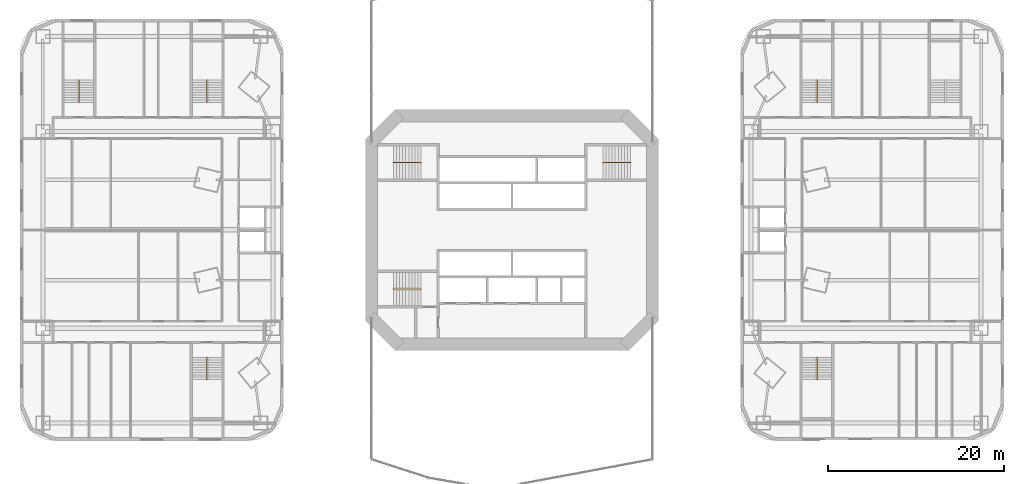
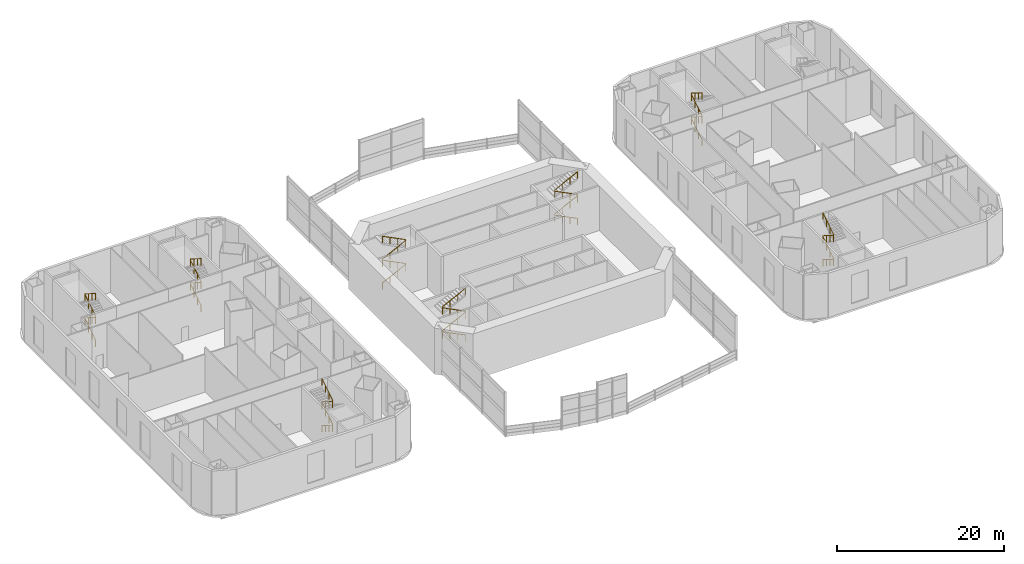
# One storey, part 18 of 19: 8 railings.
"""IFC4 building model written with IfcOpenShell, lengths in metres."""

from ifc_helpers import new_model, si_unit, direction, frame, origin, origin_2d, place, context, subcontext, project, spatial, circle, extrude, material, type_object, element, save


model = new_model("IFC4")

# Units and contexts
model_context = context("Model", 3, precision=1e-05, world=origin(), true_north=direction((0.0, 1.0)))
body_context = subcontext(model_context, "Body", "Model", "MODEL_VIEW")
ifc_project = project(units=[si_unit("LENGTHUNIT", "METRE"), si_unit("AREAUNIT", "SQUARE_METRE"), si_unit("VOLUMEUNIT", "CUBIC_METRE"), si_unit("PLANEANGLEUNIT", "RADIAN"), si_unit("MASSUNIT", "GRAM", prefix="KILO")], contexts=[model_context])

# Site, building, storey
site_placement = place(None, origin())
site = spatial("IfcSite", under=ifc_project, at=site_placement, CompositionType="ELEMENT")
building_placement = place(site_placement, origin())
building = spatial("IfcBuilding", under=site, at=building_placement, Name="Marenthal Gate Tower", CompositionType="ELEMENT")
storey_placement = place(building_placement, frame((0.0, 0.0, 19.0)))
storey = spatial("IfcBuildingStorey", under=building, at=storey_placement, Name="L02", CompositionType="ELEMENT", Elevation=19.0)

# Railings
ifc_material = material(Name="Stainless steel", Category="steel")
railing_type = type_object("IfcRailingType", Name="Stair handrail", PredefinedType="HANDRAIL", material=ifc_material)
railing_1_placement = place(storey_placement, frame((-13.5, 7.675048828125, 0.175048828125)))
element("IfcRailing", 1, at=railing_1_placement, inside=storey, type_object=railing_type, Name="Handrail ST1", PredefinedType="HANDRAIL", context=body_context, shape_type="SweptSolid", body=[
    extrude(circle(Radius=0.0224609375, at=origin_2d()), frame((0.0, 0.0, 0.927490234375), z_axis=(0.894427191, 0.0, 0.4472135955), x_axis=(0.0, 1.0, 0.0)), (0.0, 0.0, 1.0), 3.521728515625),
    extrude(circle(Radius=0.0224609375, at=origin_2d()), frame((3.14990234375, 0.0, 2.50244140625), z_axis=(0.0, 0.0, 1.0), x_axis=(1.0, 0.0, 0.0)), (0.0, 0.0, 1.0), 0.175048828125),
    extrude(circle(Radius=0.0224609375, at=origin_2d()), frame((3.14990234375, 0.0, 2.677490234375), z_axis=(-0.894427191, 0.0, 0.4472135955), x_axis=(0.0, -1.0, 0.0)), (0.0, 0.0, 1.0), 3.521728515625),
    extrude(circle(Radius=0.0224609375, at=origin_2d()), frame((0.0, 0.0, 4.25244140625), z_axis=(0.0, 0.0, 1.0), x_axis=(1.0, 0.0, 0.0)), (0.0, 0.0, 1.0), 0.175048828125),
    extrude(circle(Radius=0.0224609375, at=origin_2d()), frame((0.0, 0.0, 4.427490234375), z_axis=(0.894427191, 0.0, 0.4472135955), x_axis=(0.0, 1.0, 0.0)), (0.0, 0.0, 1.0), 3.521728515625),
    extrude(circle(Radius=0.0224609375, at=origin_2d()), frame((3.14990234375, 0.0, 6.00244140625), z_axis=(0.0, 0.0, 1.0), x_axis=(1.0, 0.0, 0.0)), (0.0, 0.0, 1.0), 0.175048828125),
    extrude(circle(Radius=0.0224609375, at=origin_2d()), frame((3.14990234375, 0.0, 6.177490234375), z_axis=(-0.894427191, 0.0, 0.4472135955), x_axis=(0.0, -1.0, 0.0)), (0.0, 0.0, 1.0), 3.521728515625),
    extrude(circle(Radius=0.02001953125, at=origin_2d()), origin(), (0.0, 0.0, 1.0), 0.905029296875),
    extrude(circle(Radius=0.02001953125, at=origin_2d()), frame((1.050048828125, 0.0, 0.52490234375)), (0.0, 0.0, 1.0), 0.905029296875),
    extrude(circle(Radius=0.02001953125, at=origin_2d()), frame((2.099853515625, 0.0, 1.050048828125)), (0.0, 0.0, 1.0), 0.905029296875),
    extrude(circle(Radius=0.02001953125, at=origin_2d()), frame((3.14990234375, 0.0, 1.574951171875)), (0.0, 0.0, 1.0), 0.905029296875),
    extrude(circle(Radius=0.02001953125, at=origin_2d()), frame((3.14990234375, 0.0, 1.75)), (0.0, 0.0, 1.0), 0.905029296875),
    extrude(circle(Radius=0.02001953125, at=origin_2d()), frame((2.099853515625, 0.0, 2.27490234375)), (0.0, 0.0, 1.0), 0.905029296875),
    extrude(circle(Radius=0.02001953125, at=origin_2d()), frame((1.050048828125, 0.0, 2.800048828125)), (0.0, 0.0, 1.0), 0.905029296875),
    extrude(circle(Radius=0.02001953125, at=origin_2d()), frame((0.0, 0.0, 3.324951171875)), (0.0, 0.0, 1.0), 0.905029296875),
    extrude(circle(Radius=0.02001953125, at=origin_2d()), frame((0.0, 0.0, 3.5)), (0.0, 0.0, 1.0), 0.905029296875),
    extrude(circle(Radius=0.02001953125, at=origin_2d()), frame((1.050048828125, 0.0, 4.02490234375)), (0.0, 0.0, 1.0), 0.905029296875),
    extrude(circle(Radius=0.02001953125, at=origin_2d()), frame((2.099853515625, 0.0, 4.550048828125)), (0.0, 0.0, 1.0), 0.905029296875),
    extrude(circle(Radius=0.02001953125, at=origin_2d()), frame((3.14990234375, 0.0, 5.074951171875)), (0.0, 0.0, 1.0), 0.905029296875),
    extrude(circle(Radius=0.02001953125, at=origin_2d()), frame((3.14990234375, 0.0, 5.25)), (0.0, 0.0, 1.0), 0.905029296875),
    extrude(circle(Radius=0.02001953125, at=origin_2d()), frame((2.099853515625, 0.0, 5.77490234375)), (0.0, 0.0, 1.0), 0.905029296875),
    extrude(circle(Radius=0.02001953125, at=origin_2d()), frame((1.050048828125, 0.0, 6.300048828125)), (0.0, 0.0, 1.0), 0.905029296875),
    extrude(circle(Radius=0.02001953125, at=origin_2d()), frame((0.0, 0.0, 6.824951171875)), (0.0, 0.0, 1.0), 0.905029296875),
])
railing_2_placement = place(storey_placement, frame((-10.35009765625, -6.72509765625, 0.175048828125)))
element("IfcRailing", 2, at=railing_2_placement, inside=storey, type_object=railing_type, Name="Handrail ST2", PredefinedType="HANDRAIL", context=body_context, shape_type="SweptSolid", body=[
    extrude(circle(Radius=0.0224609375, at=origin_2d()), frame((0.0, 0.0, 0.927490234375), z_axis=(-0.894427191, 0.0, 0.4472135955), x_axis=(0.0, -1.0, 0.0)), (0.0, 0.0, 1.0), 3.521728515625),
    extrude(circle(Radius=0.0224609375, at=origin_2d()), frame((-3.14990234375, 0.0, 2.50244140625), z_axis=(0.0, 0.0, 1.0), x_axis=(1.0, 0.0, 0.0)), (0.0, 0.0, 1.0), 0.175048828125),
    extrude(circle(Radius=0.0224609375, at=origin_2d()), frame((-3.14990234375, 0.0, 2.677490234375), z_axis=(0.894427191, 0.0, 0.4472135955), x_axis=(0.0, 1.0, 0.0)), (0.0, 0.0, 1.0), 3.521728515625),
    extrude(circle(Radius=0.0224609375, at=origin_2d()), frame((0.0, 0.0, 4.25244140625), z_axis=(0.0, 0.0, 1.0), x_axis=(1.0, 0.0, 0.0)), (0.0, 0.0, 1.0), 0.175048828125),
    extrude(circle(Radius=0.0224609375, at=origin_2d()), frame((0.0, 0.0, 4.427490234375), z_axis=(-0.894427191, 0.0, 0.4472135955), x_axis=(0.0, -1.0, 0.0)), (0.0, 0.0, 1.0), 3.521728515625),
    extrude(circle(Radius=0.0224609375, at=origin_2d()), frame((-3.14990234375, 0.0, 6.00244140625), z_axis=(0.0, 0.0, 1.0), x_axis=(1.0, 0.0, 0.0)), (0.0, 0.0, 1.0), 0.175048828125),
    extrude(circle(Radius=0.0224609375, at=origin_2d()), frame((-3.14990234375, 0.0, 6.177490234375), z_axis=(0.894427191, 0.0, 0.4472135955), x_axis=(0.0, 1.0, 0.0)), (0.0, 0.0, 1.0), 3.521728515625),
    extrude(circle(Radius=0.02001953125, at=origin_2d()), origin(), (0.0, 0.0, 1.0), 0.905029296875),
    extrude(circle(Radius=0.02001953125, at=origin_2d()), frame((-1.050048828125, 0.0, 0.52490234375)), (0.0, 0.0, 1.0), 0.905029296875),
    extrude(circle(Radius=0.02001953125, at=origin_2d()), frame((-2.099853515625, 0.0, 1.050048828125)), (0.0, 0.0, 1.0), 0.905029296875),
    extrude(circle(Radius=0.02001953125, at=origin_2d()), frame((-3.14990234375, 0.0, 1.574951171875)), (0.0, 0.0, 1.0), 0.905029296875),
    extrude(circle(Radius=0.02001953125, at=origin_2d()), frame((-3.14990234375, 0.0, 1.75)), (0.0, 0.0, 1.0), 0.905029296875),
    extrude(circle(Radius=0.02001953125, at=origin_2d()), frame((-2.099853515625, 0.0, 2.27490234375)), (0.0, 0.0, 1.0), 0.905029296875),
    extrude(circle(Radius=0.02001953125, at=origin_2d()), frame((-1.050048828125, 0.0, 2.800048828125)), (0.0, 0.0, 1.0), 0.905029296875),
    extrude(circle(Radius=0.02001953125, at=origin_2d()), frame((0.0, 0.0, 3.324951171875)), (0.0, 0.0, 1.0), 0.905029296875),
    extrude(circle(Radius=0.02001953125, at=origin_2d()), frame((0.0, 0.0, 3.5)), (0.0, 0.0, 1.0), 0.905029296875),
    extrude(circle(Radius=0.02001953125, at=origin_2d()), frame((-1.050048828125, 0.0, 4.02490234375)), (0.0, 0.0, 1.0), 0.905029296875),
    extrude(circle(Radius=0.02001953125, at=origin_2d()), frame((-2.099853515625, 0.0, 4.550048828125)), (0.0, 0.0, 1.0), 0.905029296875),
    extrude(circle(Radius=0.02001953125, at=origin_2d()), frame((-3.14990234375, 0.0, 5.074951171875)), (0.0, 0.0, 1.0), 0.905029296875),
    extrude(circle(Radius=0.02001953125, at=origin_2d()), frame((-3.14990234375, 0.0, 5.25)), (0.0, 0.0, 1.0), 0.905029296875),
    extrude(circle(Radius=0.02001953125, at=origin_2d()), frame((-2.099853515625, 0.0, 5.77490234375)), (0.0, 0.0, 1.0), 0.905029296875),
    extrude(circle(Radius=0.02001953125, at=origin_2d()), frame((-1.050048828125, 0.0, 6.300048828125)), (0.0, 0.0, 1.0), 0.905029296875),
    extrude(circle(Radius=0.02001953125, at=origin_2d()), frame((0.0, 0.0, 6.824951171875)), (0.0, 0.0, 1.0), 0.905029296875),
])
railing_3_placement = place(storey_placement, frame((13.5, 7.675048828125, 0.175048828125)))
element("IfcRailing", 3, at=railing_3_placement, inside=storey, type_object=railing_type, Name="Handrail ST3", PredefinedType="HANDRAIL", context=body_context, shape_type="SweptSolid", body=[
    extrude(circle(Radius=0.0224609375, at=origin_2d()), frame((0.0, 0.0, 0.927490234375), z_axis=(-0.894427191, 0.0, 0.4472135955), x_axis=(0.0, -1.0, 0.0)), (0.0, 0.0, 1.0), 3.521728515625),
    extrude(circle(Radius=0.0224609375, at=origin_2d()), frame((-3.14990234375, 0.0, 2.50244140625), z_axis=(0.0, 0.0, 1.0), x_axis=(1.0, 0.0, 0.0)), (0.0, 0.0, 1.0), 0.175048828125),
    extrude(circle(Radius=0.0224609375, at=origin_2d()), frame((-3.14990234375, 0.0, 2.677490234375), z_axis=(0.894427191, 0.0, 0.4472135955), x_axis=(0.0, 1.0, 0.0)), (0.0, 0.0, 1.0), 3.521728515625),
    extrude(circle(Radius=0.0224609375, at=origin_2d()), frame((0.0, 0.0, 4.25244140625), z_axis=(0.0, 0.0, 1.0), x_axis=(1.0, 0.0, 0.0)), (0.0, 0.0, 1.0), 0.175048828125),
    extrude(circle(Radius=0.0224609375, at=origin_2d()), frame((0.0, 0.0, 4.427490234375), z_axis=(-0.894427191, 0.0, 0.4472135955), x_axis=(0.0, -1.0, 0.0)), (0.0, 0.0, 1.0), 3.521728515625),
    extrude(circle(Radius=0.0224609375, at=origin_2d()), frame((-3.14990234375, 0.0, 6.00244140625), z_axis=(0.0, 0.0, 1.0), x_axis=(1.0, 0.0, 0.0)), (0.0, 0.0, 1.0), 0.175048828125),
    extrude(circle(Radius=0.0224609375, at=origin_2d()), frame((-3.14990234375, 0.0, 6.177490234375), z_axis=(0.894427191, 0.0, 0.4472135955), x_axis=(0.0, 1.0, 0.0)), (0.0, 0.0, 1.0), 3.521728515625),
    extrude(circle(Radius=0.02001953125, at=origin_2d()), origin(), (0.0, 0.0, 1.0), 0.905029296875),
    extrude(circle(Radius=0.02001953125, at=origin_2d()), frame((-1.050048828125, 0.0, 0.52490234375)), (0.0, 0.0, 1.0), 0.905029296875),
    extrude(circle(Radius=0.02001953125, at=origin_2d()), frame((-2.099853515625, 0.0, 1.050048828125)), (0.0, 0.0, 1.0), 0.905029296875),
    extrude(circle(Radius=0.02001953125, at=origin_2d()), frame((-3.14990234375, 0.0, 1.574951171875)), (0.0, 0.0, 1.0), 0.905029296875),
    extrude(circle(Radius=0.02001953125, at=origin_2d()), frame((-3.14990234375, 0.0, 1.75)), (0.0, 0.0, 1.0), 0.905029296875),
    extrude(circle(Radius=0.02001953125, at=origin_2d()), frame((-2.099853515625, 0.0, 2.27490234375)), (0.0, 0.0, 1.0), 0.905029296875),
    extrude(circle(Radius=0.02001953125, at=origin_2d()), frame((-1.050048828125, 0.0, 2.800048828125)), (0.0, 0.0, 1.0), 0.905029296875),
    extrude(circle(Radius=0.02001953125, at=origin_2d()), frame((0.0, 0.0, 3.324951171875)), (0.0, 0.0, 1.0), 0.905029296875),
    extrude(circle(Radius=0.02001953125, at=origin_2d()), frame((0.0, 0.0, 3.5)), (0.0, 0.0, 1.0), 0.905029296875),
    extrude(circle(Radius=0.02001953125, at=origin_2d()), frame((-1.050048828125, 0.0, 4.02490234375)), (0.0, 0.0, 1.0), 0.905029296875),
    extrude(circle(Radius=0.02001953125, at=origin_2d()), frame((-2.099853515625, 0.0, 4.550048828125)), (0.0, 0.0, 1.0), 0.905029296875),
    extrude(circle(Radius=0.02001953125, at=origin_2d()), frame((-3.14990234375, 0.0, 5.074951171875)), (0.0, 0.0, 1.0), 0.905029296875),
    extrude(circle(Radius=0.02001953125, at=origin_2d()), frame((-3.14990234375, 0.0, 5.25)), (0.0, 0.0, 1.0), 0.905029296875),
    extrude(circle(Radius=0.02001953125, at=origin_2d()), frame((-2.099853515625, 0.0, 5.77490234375)), (0.0, 0.0, 1.0), 0.905029296875),
    extrude(circle(Radius=0.02001953125, at=origin_2d()), frame((-1.050048828125, 0.0, 6.300048828125)), (0.0, 0.0, 1.0), 0.905029296875),
    extrude(circle(Radius=0.02001953125, at=origin_2d()), frame((0.0, 0.0, 6.824951171875)), (0.0, 0.0, 1.0), 0.905029296875),
])
railing_4_placement = place(storey_placement, frame((34.699951171875, 14.52490234375, 0.175048828125)))
element("IfcRailing", 4, at=railing_4_placement, inside=storey, type_object=railing_type, Name="Handrail E1", PredefinedType="HANDRAIL", context=body_context, shape_type="SweptSolid", body=[
    extrude(circle(Radius=0.0224609375, at=origin_2d()), frame((0.0, 0.0, 0.927490234375), z_axis=(0.0, 0.848007534815, 0.529984170421), x_axis=(-1.0, 0.0, 0.0)), (0.0, 0.0, 1.0), 2.9716796875),
    extrude(circle(Radius=0.0224609375, at=origin_2d()), frame((0.0, 2.52001953125, 2.50244140625), z_axis=(0.0, 0.0, 1.0), x_axis=(1.0, 0.0, 0.0)), (0.0, 0.0, 1.0), 0.175048828125),
    extrude(circle(Radius=0.0224609375, at=origin_2d()), frame((0.0, 2.52001953125, 2.677490234375), z_axis=(0.0, -0.848007534815, 0.529984170421), x_axis=(1.0, 0.0, 0.0)), (0.0, 0.0, 1.0), 2.9716796875),
    extrude(circle(Radius=0.0224609375, at=origin_2d()), frame((0.0, 0.0, 4.25244140625), z_axis=(0.0, 0.0, 1.0), x_axis=(1.0, 0.0, 0.0)), (0.0, 0.0, 1.0), 0.175048828125),
    extrude(circle(Radius=0.0224609375, at=origin_2d()), frame((0.0, 0.0, 4.427490234375), z_axis=(0.0, 0.848007534815, 0.529984170421), x_axis=(-1.0, 0.0, 0.0)), (0.0, 0.0, 1.0), 2.9716796875),
    extrude(circle(Radius=0.0224609375, at=origin_2d()), frame((0.0, 2.52001953125, 6.00244140625), z_axis=(0.0, 0.0, 1.0), x_axis=(1.0, 0.0, 0.0)), (0.0, 0.0, 1.0), 0.175048828125),
    extrude(circle(Radius=0.0224609375, at=origin_2d()), frame((0.0, 2.52001953125, 6.177490234375), z_axis=(0.0, -0.848007534815, 0.529984170421), x_axis=(1.0, 0.0, 0.0)), (0.0, 0.0, 1.0), 2.9716796875),
    extrude(circle(Radius=0.02001953125, at=origin_2d()), origin(), (0.0, 0.0, 1.0), 0.905029296875),
    extrude(circle(Radius=0.02001953125, at=origin_2d()), frame((0.0, 0.840087890625, 0.52490234375)), (0.0, 0.0, 1.0), 0.905029296875),
    extrude(circle(Radius=0.02001953125, at=origin_2d()), frame((0.0, 1.679931640625, 1.050048828125)), (0.0, 0.0, 1.0), 0.905029296875),
    extrude(circle(Radius=0.02001953125, at=origin_2d()), frame((0.0, 2.52001953125, 1.574951171875)), (0.0, 0.0, 1.0), 0.905029296875),
    extrude(circle(Radius=0.02001953125, at=origin_2d()), frame((0.0, 2.52001953125, 1.75)), (0.0, 0.0, 1.0), 0.905029296875),
    extrude(circle(Radius=0.02001953125, at=origin_2d()), frame((0.0, 1.679931640625, 2.27490234375)), (0.0, 0.0, 1.0), 0.905029296875),
    extrude(circle(Radius=0.02001953125, at=origin_2d()), frame((0.0, 0.840087890625, 2.800048828125)), (0.0, 0.0, 1.0), 0.905029296875),
    extrude(circle(Radius=0.02001953125, at=origin_2d()), frame((0.0, 0.0, 3.324951171875)), (0.0, 0.0, 1.0), 0.905029296875),
    extrude(circle(Radius=0.02001953125, at=origin_2d()), frame((0.0, 0.0, 3.5)), (0.0, 0.0, 1.0), 0.905029296875),
    extrude(circle(Radius=0.02001953125, at=origin_2d()), frame((0.0, 0.840087890625, 4.02490234375)), (0.0, 0.0, 1.0), 0.905029296875),
    extrude(circle(Radius=0.02001953125, at=origin_2d()), frame((0.0, 1.679931640625, 4.550048828125)), (0.0, 0.0, 1.0), 0.905029296875),
    extrude(circle(Radius=0.02001953125, at=origin_2d()), frame((0.0, 2.52001953125, 5.074951171875)), (0.0, 0.0, 1.0), 0.905029296875),
    extrude(circle(Radius=0.02001953125, at=origin_2d()), frame((0.0, 2.52001953125, 5.25)), (0.0, 0.0, 1.0), 0.905029296875),
    extrude(circle(Radius=0.02001953125, at=origin_2d()), frame((0.0, 1.679931640625, 5.77490234375)), (0.0, 0.0, 1.0), 0.905029296875),
    extrude(circle(Radius=0.02001953125, at=origin_2d()), frame((0.0, 0.840087890625, 6.300048828125)), (0.0, 0.0, 1.0), 0.905029296875),
    extrude(circle(Radius=0.02001953125, at=origin_2d()), frame((0.0, 0.0, 6.824951171875)), (0.0, 0.0, 1.0), 0.905029296875),
])
railing_5_placement = place(storey_placement, frame((34.699951171875, -14.52490234375, 0.175048828125)))
element("IfcRailing", 5, at=railing_5_placement, inside=storey, type_object=railing_type, Name="Handrail E2", PredefinedType="HANDRAIL", context=body_context, shape_type="SweptSolid", body=[
    extrude(circle(Radius=0.0224609375, at=origin_2d()), frame((0.0, 0.0, 0.927490234375), z_axis=(0.0, -0.848007534815, 0.529984170421), x_axis=(1.0, 0.0, 0.0)), (0.0, 0.0, 1.0), 2.9716796875),
    extrude(circle(Radius=0.0224609375, at=origin_2d()), frame((0.0, -2.52001953125, 2.50244140625), z_axis=(0.0, 0.0, 1.0), x_axis=(1.0, 0.0, 0.0)), (0.0, 0.0, 1.0), 0.175048828125),
    extrude(circle(Radius=0.0224609375, at=origin_2d()), frame((0.0, -2.52001953125, 2.677490234375), z_axis=(0.0, 0.848007534815, 0.529984170421), x_axis=(-1.0, 0.0, 0.0)), (0.0, 0.0, 1.0), 2.9716796875),
    extrude(circle(Radius=0.0224609375, at=origin_2d()), frame((0.0, 0.0, 4.25244140625), z_axis=(0.0, 0.0, 1.0), x_axis=(1.0, 0.0, 0.0)), (0.0, 0.0, 1.0), 0.175048828125),
    extrude(circle(Radius=0.0224609375, at=origin_2d()), frame((0.0, 0.0, 4.427490234375), z_axis=(0.0, -0.848007534815, 0.529984170421), x_axis=(1.0, 0.0, 0.0)), (0.0, 0.0, 1.0), 2.9716796875),
    extrude(circle(Radius=0.0224609375, at=origin_2d()), frame((0.0, -2.52001953125, 6.00244140625), z_axis=(0.0, 0.0, 1.0), x_axis=(1.0, 0.0, 0.0)), (0.0, 0.0, 1.0), 0.175048828125),
    extrude(circle(Radius=0.0224609375, at=origin_2d()), frame((0.0, -2.52001953125, 6.177490234375), z_axis=(0.0, 0.848007534815, 0.529984170421), x_axis=(-1.0, 0.0, 0.0)), (0.0, 0.0, 1.0), 2.9716796875),
    extrude(circle(Radius=0.02001953125, at=origin_2d()), origin(), (0.0, 0.0, 1.0), 0.905029296875),
    extrude(circle(Radius=0.02001953125, at=origin_2d()), frame((0.0, -0.840087890625, 0.52490234375)), (0.0, 0.0, 1.0), 0.905029296875),
    extrude(circle(Radius=0.02001953125, at=origin_2d()), frame((0.0, -1.679931640625, 1.050048828125)), (0.0, 0.0, 1.0), 0.905029296875),
    extrude(circle(Radius=0.02001953125, at=origin_2d()), frame((0.0, -2.52001953125, 1.574951171875)), (0.0, 0.0, 1.0), 0.905029296875),
    extrude(circle(Radius=0.02001953125, at=origin_2d()), frame((0.0, -2.52001953125, 1.75)), (0.0, 0.0, 1.0), 0.905029296875),
    extrude(circle(Radius=0.02001953125, at=origin_2d()), frame((0.0, -1.679931640625, 2.27490234375)), (0.0, 0.0, 1.0), 0.905029296875),
    extrude(circle(Radius=0.02001953125, at=origin_2d()), frame((0.0, -0.840087890625, 2.800048828125)), (0.0, 0.0, 1.0), 0.905029296875),
    extrude(circle(Radius=0.02001953125, at=origin_2d()), frame((0.0, 0.0, 3.324951171875)), (0.0, 0.0, 1.0), 0.905029296875),
    extrude(circle(Radius=0.02001953125, at=origin_2d()), frame((0.0, 0.0, 3.5)), (0.0, 0.0, 1.0), 0.905029296875),
    extrude(circle(Radius=0.02001953125, at=origin_2d()), frame((0.0, -0.840087890625, 4.02490234375)), (0.0, 0.0, 1.0), 0.905029296875),
    extrude(circle(Radius=0.02001953125, at=origin_2d()), frame((0.0, -1.679931640625, 4.550048828125)), (0.0, 0.0, 1.0), 0.905029296875),
    extrude(circle(Radius=0.02001953125, at=origin_2d()), frame((0.0, -2.52001953125, 5.074951171875)), (0.0, 0.0, 1.0), 0.905029296875),
    extrude(circle(Radius=0.02001953125, at=origin_2d()), frame((0.0, -2.52001953125, 5.25)), (0.0, 0.0, 1.0), 0.905029296875),
    extrude(circle(Radius=0.02001953125, at=origin_2d()), frame((0.0, -1.679931640625, 5.77490234375)), (0.0, 0.0, 1.0), 0.905029296875),
    extrude(circle(Radius=0.02001953125, at=origin_2d()), frame((0.0, -0.840087890625, 6.300048828125)), (0.0, 0.0, 1.0), 0.905029296875),
    extrude(circle(Radius=0.02001953125, at=origin_2d()), frame((0.0, 0.0, 6.824951171875)), (0.0, 0.0, 1.0), 0.905029296875),
])
railing_6_placement = place(storey_placement, frame((-34.699951171875, 14.52490234375, 0.175048828125)))
element("IfcRailing", 6, at=railing_6_placement, inside=storey, type_object=railing_type, Name="Handrail W1", PredefinedType="HANDRAIL", context=body_context, shape_type="SweptSolid", body=[
    extrude(circle(Radius=0.0224609375, at=origin_2d()), frame((0.0, 0.0, 0.927490234375), z_axis=(0.0, 0.848007534815, 0.529984170421), x_axis=(-1.0, 0.0, 0.0)), (0.0, 0.0, 1.0), 2.9716796875),
    extrude(circle(Radius=0.0224609375, at=origin_2d()), frame((0.0, 2.52001953125, 2.50244140625), z_axis=(0.0, 0.0, 1.0), x_axis=(1.0, 0.0, 0.0)), (0.0, 0.0, 1.0), 0.175048828125),
    extrude(circle(Radius=0.0224609375, at=origin_2d()), frame((0.0, 2.52001953125, 2.677490234375), z_axis=(0.0, -0.848007534815, 0.529984170421), x_axis=(1.0, 0.0, 0.0)), (0.0, 0.0, 1.0), 2.9716796875),
    extrude(circle(Radius=0.0224609375, at=origin_2d()), frame((0.0, 0.0, 4.25244140625), z_axis=(0.0, 0.0, 1.0), x_axis=(1.0, 0.0, 0.0)), (0.0, 0.0, 1.0), 0.175048828125),
    extrude(circle(Radius=0.0224609375, at=origin_2d()), frame((0.0, 0.0, 4.427490234375), z_axis=(0.0, 0.848007534815, 0.529984170421), x_axis=(-1.0, 0.0, 0.0)), (0.0, 0.0, 1.0), 2.9716796875),
    extrude(circle(Radius=0.0224609375, at=origin_2d()), frame((0.0, 2.52001953125, 6.00244140625), z_axis=(0.0, 0.0, 1.0), x_axis=(1.0, 0.0, 0.0)), (0.0, 0.0, 1.0), 0.175048828125),
    extrude(circle(Radius=0.0224609375, at=origin_2d()), frame((0.0, 2.52001953125, 6.177490234375), z_axis=(0.0, -0.848007534815, 0.529984170421), x_axis=(1.0, 0.0, 0.0)), (0.0, 0.0, 1.0), 2.9716796875),
    extrude(circle(Radius=0.02001953125, at=origin_2d()), origin(), (0.0, 0.0, 1.0), 0.905029296875),
    extrude(circle(Radius=0.02001953125, at=origin_2d()), frame((0.0, 0.840087890625, 0.52490234375)), (0.0, 0.0, 1.0), 0.905029296875),
    extrude(circle(Radius=0.02001953125, at=origin_2d()), frame((0.0, 1.679931640625, 1.050048828125)), (0.0, 0.0, 1.0), 0.905029296875),
    extrude(circle(Radius=0.02001953125, at=origin_2d()), frame((0.0, 2.52001953125, 1.574951171875)), (0.0, 0.0, 1.0), 0.905029296875),
    extrude(circle(Radius=0.02001953125, at=origin_2d()), frame((0.0, 2.52001953125, 1.75)), (0.0, 0.0, 1.0), 0.905029296875),
    extrude(circle(Radius=0.02001953125, at=origin_2d()), frame((0.0, 1.679931640625, 2.27490234375)), (0.0, 0.0, 1.0), 0.905029296875),
    extrude(circle(Radius=0.02001953125, at=origin_2d()), frame((0.0, 0.840087890625, 2.800048828125)), (0.0, 0.0, 1.0), 0.905029296875),
    extrude(circle(Radius=0.02001953125, at=origin_2d()), frame((0.0, 0.0, 3.324951171875)), (0.0, 0.0, 1.0), 0.905029296875),
    extrude(circle(Radius=0.02001953125, at=origin_2d()), frame((0.0, 0.0, 3.5)), (0.0, 0.0, 1.0), 0.905029296875),
    extrude(circle(Radius=0.02001953125, at=origin_2d()), frame((0.0, 0.840087890625, 4.02490234375)), (0.0, 0.0, 1.0), 0.905029296875),
    extrude(circle(Radius=0.02001953125, at=origin_2d()), frame((0.0, 1.679931640625, 4.550048828125)), (0.0, 0.0, 1.0), 0.905029296875),
    extrude(circle(Radius=0.02001953125, at=origin_2d()), frame((0.0, 2.52001953125, 5.074951171875)), (0.0, 0.0, 1.0), 0.905029296875),
    extrude(circle(Radius=0.02001953125, at=origin_2d()), frame((0.0, 2.52001953125, 5.25)), (0.0, 0.0, 1.0), 0.905029296875),
    extrude(circle(Radius=0.02001953125, at=origin_2d()), frame((0.0, 1.679931640625, 5.77490234375)), (0.0, 0.0, 1.0), 0.905029296875),
    extrude(circle(Radius=0.02001953125, at=origin_2d()), frame((0.0, 0.840087890625, 6.300048828125)), (0.0, 0.0, 1.0), 0.905029296875),
    extrude(circle(Radius=0.02001953125, at=origin_2d()), frame((0.0, 0.0, 6.824951171875)), (0.0, 0.0, 1.0), 0.905029296875),
])
railing_7_placement = place(storey_placement, frame((-34.699951171875, -14.52490234375, 0.175048828125)))
element("IfcRailing", 7, at=railing_7_placement, inside=storey, type_object=railing_type, Name="Handrail W2", PredefinedType="HANDRAIL", context=body_context, shape_type="SweptSolid", body=[
    extrude(circle(Radius=0.0224609375, at=origin_2d()), frame((0.0, 0.0, 0.927490234375), z_axis=(0.0, -0.848007534815, 0.529984170421), x_axis=(1.0, 0.0, 0.0)), (0.0, 0.0, 1.0), 2.9716796875),
    extrude(circle(Radius=0.0224609375, at=origin_2d()), frame((0.0, -2.52001953125, 2.50244140625), z_axis=(0.0, 0.0, 1.0), x_axis=(1.0, 0.0, 0.0)), (0.0, 0.0, 1.0), 0.175048828125),
    extrude(circle(Radius=0.0224609375, at=origin_2d()), frame((0.0, -2.52001953125, 2.677490234375), z_axis=(0.0, 0.848007534815, 0.529984170421), x_axis=(-1.0, 0.0, 0.0)), (0.0, 0.0, 1.0), 2.9716796875),
    extrude(circle(Radius=0.0224609375, at=origin_2d()), frame((0.0, 0.0, 4.25244140625), z_axis=(0.0, 0.0, 1.0), x_axis=(1.0, 0.0, 0.0)), (0.0, 0.0, 1.0), 0.175048828125),
    extrude(circle(Radius=0.0224609375, at=origin_2d()), frame((0.0, 0.0, 4.427490234375), z_axis=(0.0, -0.848007534815, 0.529984170421), x_axis=(1.0, 0.0, 0.0)), (0.0, 0.0, 1.0), 2.9716796875),
    extrude(circle(Radius=0.0224609375, at=origin_2d()), frame((0.0, -2.52001953125, 6.00244140625), z_axis=(0.0, 0.0, 1.0), x_axis=(1.0, 0.0, 0.0)), (0.0, 0.0, 1.0), 0.175048828125),
    extrude(circle(Radius=0.0224609375, at=origin_2d()), frame((0.0, -2.52001953125, 6.177490234375), z_axis=(0.0, 0.848007534815, 0.529984170421), x_axis=(-1.0, 0.0, 0.0)), (0.0, 0.0, 1.0), 2.9716796875),
    extrude(circle(Radius=0.02001953125, at=origin_2d()), origin(), (0.0, 0.0, 1.0), 0.905029296875),
    extrude(circle(Radius=0.02001953125, at=origin_2d()), frame((0.0, -0.840087890625, 0.52490234375)), (0.0, 0.0, 1.0), 0.905029296875),
    extrude(circle(Radius=0.02001953125, at=origin_2d()), frame((0.0, -1.679931640625, 1.050048828125)), (0.0, 0.0, 1.0), 0.905029296875),
    extrude(circle(Radius=0.02001953125, at=origin_2d()), frame((0.0, -2.52001953125, 1.574951171875)), (0.0, 0.0, 1.0), 0.905029296875),
    extrude(circle(Radius=0.02001953125, at=origin_2d()), frame((0.0, -2.52001953125, 1.75)), (0.0, 0.0, 1.0), 0.905029296875),
    extrude(circle(Radius=0.02001953125, at=origin_2d()), frame((0.0, -1.679931640625, 2.27490234375)), (0.0, 0.0, 1.0), 0.905029296875),
    extrude(circle(Radius=0.02001953125, at=origin_2d()), frame((0.0, -0.840087890625, 2.800048828125)), (0.0, 0.0, 1.0), 0.905029296875),
    extrude(circle(Radius=0.02001953125, at=origin_2d()), frame((0.0, 0.0, 3.324951171875)), (0.0, 0.0, 1.0), 0.905029296875),
    extrude(circle(Radius=0.02001953125, at=origin_2d()), frame((0.0, 0.0, 3.5)), (0.0, 0.0, 1.0), 0.905029296875),
    extrude(circle(Radius=0.02001953125, at=origin_2d()), frame((0.0, -0.840087890625, 4.02490234375)), (0.0, 0.0, 1.0), 0.905029296875),
    extrude(circle(Radius=0.02001953125, at=origin_2d()), frame((0.0, -1.679931640625, 4.550048828125)), (0.0, 0.0, 1.0), 0.905029296875),
    extrude(circle(Radius=0.02001953125, at=origin_2d()), frame((0.0, -2.52001953125, 5.074951171875)), (0.0, 0.0, 1.0), 0.905029296875),
    extrude(circle(Radius=0.02001953125, at=origin_2d()), frame((0.0, -2.52001953125, 5.25)), (0.0, 0.0, 1.0), 0.905029296875),
    extrude(circle(Radius=0.02001953125, at=origin_2d()), frame((0.0, -1.679931640625, 5.77490234375)), (0.0, 0.0, 1.0), 0.905029296875),
    extrude(circle(Radius=0.02001953125, at=origin_2d()), frame((0.0, -0.840087890625, 6.300048828125)), (0.0, 0.0, 1.0), 0.905029296875),
    extrude(circle(Radius=0.02001953125, at=origin_2d()), frame((0.0, 0.0, 6.824951171875)), (0.0, 0.0, 1.0), 0.905029296875),
])
railing_8_placement = place(storey_placement, frame((-49.300048828125, 14.52490234375, 0.175048828125)))
element("IfcRailing", 8, at=railing_8_placement, inside=storey, type_object=railing_type, Name="Handrail W3", PredefinedType="HANDRAIL", context=body_context, shape_type="SweptSolid", body=[
    extrude(circle(Radius=0.0224609375, at=origin_2d()), frame((0.0, 0.0, 0.927490234375), z_axis=(0.0, 0.848007534815, 0.529984170421), x_axis=(-1.0, 0.0, 0.0)), (0.0, 0.0, 1.0), 2.9716796875),
    extrude(circle(Radius=0.0224609375, at=origin_2d()), frame((0.0, 2.52001953125, 2.50244140625), z_axis=(0.0, 0.0, 1.0), x_axis=(1.0, 0.0, 0.0)), (0.0, 0.0, 1.0), 0.175048828125),
    extrude(circle(Radius=0.0224609375, at=origin_2d()), frame((0.0, 2.52001953125, 2.677490234375), z_axis=(0.0, -0.848007534815, 0.529984170421), x_axis=(1.0, 0.0, 0.0)), (0.0, 0.0, 1.0), 2.9716796875),
    extrude(circle(Radius=0.0224609375, at=origin_2d()), frame((0.0, 0.0, 4.25244140625), z_axis=(0.0, 0.0, 1.0), x_axis=(1.0, 0.0, 0.0)), (0.0, 0.0, 1.0), 0.175048828125),
    extrude(circle(Radius=0.0224609375, at=origin_2d()), frame((0.0, 0.0, 4.427490234375), z_axis=(0.0, 0.848007534815, 0.529984170421), x_axis=(-1.0, 0.0, 0.0)), (0.0, 0.0, 1.0), 2.9716796875),
    extrude(circle(Radius=0.0224609375, at=origin_2d()), frame((0.0, 2.52001953125, 6.00244140625), z_axis=(0.0, 0.0, 1.0), x_axis=(1.0, 0.0, 0.0)), (0.0, 0.0, 1.0), 0.175048828125),
    extrude(circle(Radius=0.0224609375, at=origin_2d()), frame((0.0, 2.52001953125, 6.177490234375), z_axis=(0.0, -0.848007534815, 0.529984170421), x_axis=(1.0, 0.0, 0.0)), (0.0, 0.0, 1.0), 2.9716796875),
    extrude(circle(Radius=0.02001953125, at=origin_2d()), origin(), (0.0, 0.0, 1.0), 0.905029296875),
    extrude(circle(Radius=0.02001953125, at=origin_2d()), frame((0.0, 0.840087890625, 0.52490234375)), (0.0, 0.0, 1.0), 0.905029296875),
    extrude(circle(Radius=0.02001953125, at=origin_2d()), frame((0.0, 1.679931640625, 1.050048828125)), (0.0, 0.0, 1.0), 0.905029296875),
    extrude(circle(Radius=0.02001953125, at=origin_2d()), frame((0.0, 2.52001953125, 1.574951171875)), (0.0, 0.0, 1.0), 0.905029296875),
    extrude(circle(Radius=0.02001953125, at=origin_2d()), frame((0.0, 2.52001953125, 1.75)), (0.0, 0.0, 1.0), 0.905029296875),
    extrude(circle(Radius=0.02001953125, at=origin_2d()), frame((0.0, 1.679931640625, 2.27490234375)), (0.0, 0.0, 1.0), 0.905029296875),
    extrude(circle(Radius=0.02001953125, at=origin_2d()), frame((0.0, 0.840087890625, 2.800048828125)), (0.0, 0.0, 1.0), 0.905029296875),
    extrude(circle(Radius=0.02001953125, at=origin_2d()), frame((0.0, 0.0, 3.324951171875)), (0.0, 0.0, 1.0), 0.905029296875),
    extrude(circle(Radius=0.02001953125, at=origin_2d()), frame((0.0, 0.0, 3.5)), (0.0, 0.0, 1.0), 0.905029296875),
    extrude(circle(Radius=0.02001953125, at=origin_2d()), frame((0.0, 0.840087890625, 4.02490234375)), (0.0, 0.0, 1.0), 0.905029296875),
    extrude(circle(Radius=0.02001953125, at=origin_2d()), frame((0.0, 1.679931640625, 4.550048828125)), (0.0, 0.0, 1.0), 0.905029296875),
    extrude(circle(Radius=0.02001953125, at=origin_2d()), frame((0.0, 2.52001953125, 5.074951171875)), (0.0, 0.0, 1.0), 0.905029296875),
    extrude(circle(Radius=0.02001953125, at=origin_2d()), frame((0.0, 2.52001953125, 5.25)), (0.0, 0.0, 1.0), 0.905029296875),
    extrude(circle(Radius=0.02001953125, at=origin_2d()), frame((0.0, 1.679931640625, 5.77490234375)), (0.0, 0.0, 1.0), 0.905029296875),
    extrude(circle(Radius=0.02001953125, at=origin_2d()), frame((0.0, 0.840087890625, 6.300048828125)), (0.0, 0.0, 1.0), 0.905029296875),
    extrude(circle(Radius=0.02001953125, at=origin_2d()), frame((0.0, 0.0, 6.824951171875)), (0.0, 0.0, 1.0), 0.905029296875),
])

save(model, "model.ifc")
